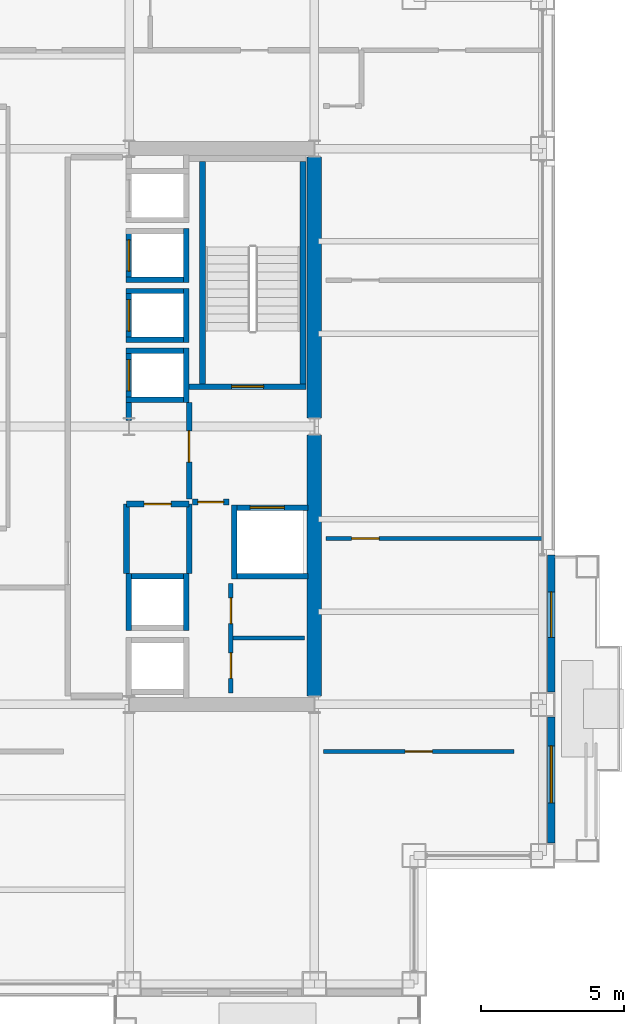
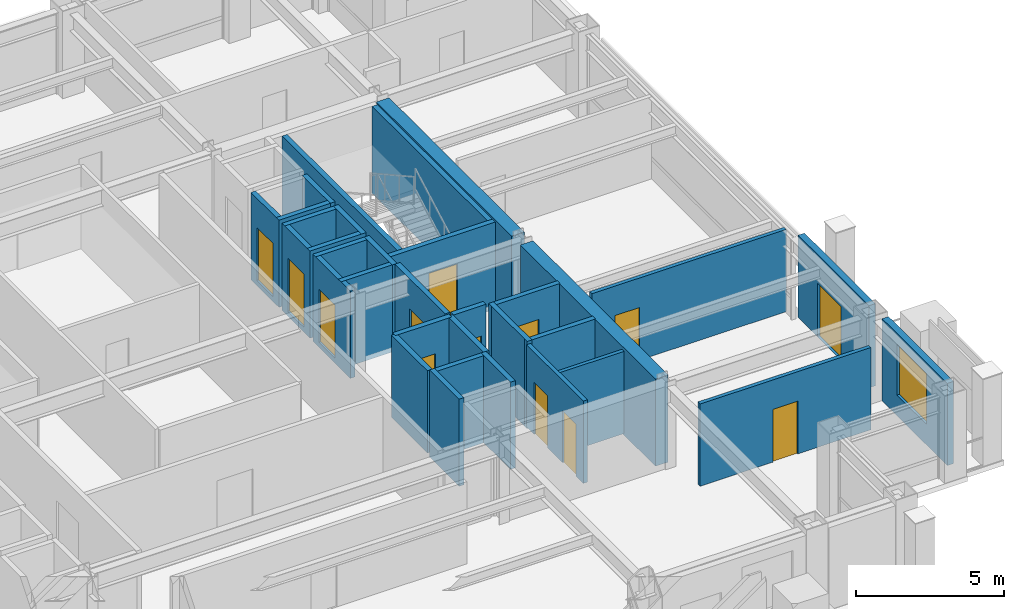
# One storey, part 26 of 30: 33 walls, 13 doors, 1 window, 14 openings.
"""IFC4 building model written with IfcOpenShell, lengths in metres."""

from ifc_helpers import new_model, si_unit, direction, frame, frame_2d, origin, place, context, subcontext, project, spatial, rectangle, extrude, material, layer, layer_set, type_object, element, fill, save


model = new_model("IFC4")

# Units and contexts
model_context = context("Model", 3, precision=1e-05, world=origin(), true_north=direction((0.0, 1.0)))
body_context = subcontext(model_context, "Body", "Model", "MODEL_VIEW")
ifc_project = project(units=[si_unit("LENGTHUNIT", "METRE"), si_unit("AREAUNIT", "SQUARE_METRE"), si_unit("VOLUMEUNIT", "CUBIC_METRE"), si_unit("PLANEANGLEUNIT", "RADIAN"), si_unit("MASSUNIT", "GRAM", prefix="KILO")], contexts=[model_context])

# Site, building, storey
site_placement = place(None, origin())
site = spatial("IfcSite", under=ifc_project, at=site_placement, CompositionType="ELEMENT")
building_placement = place(site_placement, origin())
building = spatial("IfcBuilding", under=site, at=building_placement, Name="Brelmoor Portico Tower", CompositionType="ELEMENT")
storey_placement = place(building_placement, frame((0.0, 0.0, 102.60009765625)))
storey = spatial("IfcBuildingStorey", under=building, at=storey_placement, Name="L26", CompositionType="ELEMENT", Elevation=102.60009765625)

# Walls
ifc_material_1 = material(Name="Concrete C60", Category="concrete")
ifc_layer_1 = layer(ifc_material_1, 0.5)
ifc_layer_set_1 = layer_set([ifc_layer_1], Name="Concrete C60")
wall_type_1 = type_object("IfcWallType", Name="WL-CORE-500", PredefinedType="SHEAR", material=ifc_layer_set_1)
for number, where, z_axis, x_axis, name in (
    (1, (14.550048828125, -9.449951171875, -0.2001953125), (0.0, 0.0, 1.0), (0.0, 1.0, 0.0), "L26 EC Outer South Shear Wall"),
    (2, (14.550048828125, 0.300048828125, -0.2001953125), (0.0, 0.0, 1.0), (0.0, 1.0, 0.0), "L26 EC Outer North Shear Wall"),
):
    element("IfcWall", number, at=place(storey_placement, frame(where, z_axis=z_axis, x_axis=x_axis)), inside=storey, type_object=wall_type_1, Name=name, PredefinedType="SHEAR", context=body_context, shape_type="SweptSolid", body=[
        extrude(rectangle(XDim=9.14990234375, YDim=0.5, at=frame_2d((4.574951171875, 0.0))), origin(), (0.0, 0.0, 1.0), 3.60009765625),
    ])

# Wall, opening, window
ifc_material_2 = material(Name="Precast Concrete C40 Insulated Facade Wall", Category="concrete")
ifc_layer_2 = layer(ifc_material_2, 0.25)
ifc_layer_set_2 = layer_set([ifc_layer_2], Name="Precast Concrete C40 Insulated Facade Wall")
wall_type_2 = type_object("IfcWallType", Name="WL-EXT-250", PredefinedType="STANDARD", material=ifc_layer_set_2)
wall_1_placement = place(storey_placement, frame((22.860107421875, -14.60498046875, 0.0), z_axis=(0.0, 0.0, 1.0), x_axis=(0.0, 1.0, 0.0)))
wall_1 = element("IfcWall", 3, at=wall_1_placement, inside=storey, type_object=wall_type_2, Name="L26 Loggia Threshold Wall E-1", PredefinedType="STANDARD", context=body_context, shape_type="SweptSolid", body=[
    extrude(rectangle(XDim=4.409912109375, YDim=0.25, at=frame_2d((2.205078125, 0.0))), origin(), (0.0, 0.0, 1.0), 3.39990234375),
])
opening_1_placement = place(wall_1_placement, frame((1.405029296875, 0.0, 0.85009765625)))
opening_1 = element("IfcOpeningElement", 4, at=opening_1_placement, cuts=wall_1, Name="Opening W-03", PredefinedType="OPENING", context=body_context, shape_type="SweptSolid", body=[
    extrude(rectangle(XDim=2.0, YDim=2.10009765625, at=frame_2d((1.0, 1.050048828125))), frame((0.0, 0.135009765625, 0.0), z_axis=(0.0, -1.0, 0.0), x_axis=(1.0, 0.0, 0.0)), (0.0, 0.0, 1.0), 0.27001953125),
])
ifc_material_3 = material(Name="Thermally Broken Aluminium Low-E Window", Category="aluminium")
window_type = type_object("IfcWindowType", Name="WN-LOGGIA-2000x2100", PartitioningType="SINGLE_PANEL", PredefinedType="WINDOW", material=ifc_material_3)
window_placement = place(opening_1_placement, origin())
window = element("IfcWindow", 5, at=window_placement, inside=storey, type_object=window_type, Name="L26 Loggia Window E", OverallHeight=2.10009765625, OverallWidth=2.0, PartitioningType="SINGLE_PANEL", PredefinedType="WINDOW", context=body_context, shape_type="SweptSolid", body=[
    extrude(rectangle(XDim=2.0, YDim=2.10009765625, at=frame_2d((1.0, 1.050048828125))), frame((0.0, 0.030029296875, 0.0), z_axis=(0.0, -1.0, 0.0), x_axis=(1.0, 0.0, 0.0)), (0.0, 0.0, 1.0), 0.06005859375),
])
fill(opening_1, window)

# Wall, opening, door
wall_2_placement = place(storey_placement, frame((22.860107421875, -9.304931640625, 0.0), z_axis=(0.0, 0.0, 1.0), x_axis=(0.0, 1.0, 0.0)))
wall_2 = element("IfcWall", 6, at=wall_2_placement, inside=storey, type_object=wall_type_2, Name="L26 Loggia Threshold Wall E-2", PredefinedType="STANDARD", context=body_context, shape_type="SweptSolid", body=[
    extrude(rectangle(XDim=4.804931640625, YDim=0.25, at=frame_2d((2.40234375, 0.0))), origin(), (0.0, 0.0, 1.0), 3.39990234375),
])
opening_2_placement = place(wall_2_placement, frame((1.905029296875, 0.0, 0.0)))
opening_2 = element("IfcOpeningElement", 7, at=opening_2_placement, cuts=wall_2, Name="Opening D-TB1", PredefinedType="OPENING", context=body_context, shape_type="SweptSolid", body=[
    extrude(rectangle(XDim=1.60009765625, YDim=2.199951171875, at=frame_2d((0.800048828125, 1.10009765625))), frame((0.0, 0.135009765625, 0.0), z_axis=(0.0, -1.0, 0.0), x_axis=(1.0, 0.0, 0.0)), (0.0, 0.0, 1.0), 0.27001953125),
])
ifc_material_4 = material(Name="Double-Leaf Thermally Broken Terrace Door", Category="aluminium")
door_type_1 = type_object("IfcDoorType", Name="DR-BALCONY-1600", OperationType="NOTDEFINED", PredefinedType="DOOR", material=ifc_material_4)
door_1_placement = place(opening_2_placement, origin())
door_1 = element("IfcDoor", 8, at=door_1_placement, inside=storey, type_object=door_type_1, Name="D-1163 L26 Tree Balcony Double Door E", OperationType="DOUBLE_DOOR_SINGLE_SWING", OverallHeight=2.199951171875, OverallWidth=1.60009765625, PredefinedType="DOOR", context=body_context, shape_type="SweptSolid", body=[
    extrude(rectangle(XDim=1.60009765625, YDim=2.199951171875, at=frame_2d((0.800048828125, 1.10009765625))), frame((0.0, 0.02490234375, 0.0), z_axis=(0.0, -1.0, 0.0), x_axis=(1.0, 0.0, 0.0)), (0.0, 0.0, 1.0), 0.050048828125),
])
fill(opening_2, door_1)

# Wall
ifc_material_5 = material(Name="Insulated Stud Suite Partition", Category="gypsum")
ifc_layer_3 = layer(ifc_material_5, 0.139892578125)
ifc_layer_set_3 = layer_set([ifc_layer_3], Name="Insulated Stud Suite Partition")
wall_type_3 = type_object("IfcWallType", Name="WL-PART-140", PredefinedType="PARTITIONING", material=ifc_layer_set_3)
wall_3_placement = place(storey_placement, frame((11.699951171875, -7.425048828125, 0.0), z_axis=(0.0, 0.0, 1.0), x_axis=(1.0, 0.0, 0.0)))
element("IfcWall", 9, at=wall_3_placement, inside=storey, type_object=wall_type_3, Name="L26 E Core WC Divider 1", PredefinedType="PARTITIONING", context=body_context, shape_type="SweptSolid", body=[
    extrude(rectangle(XDim=2.5, YDim=0.139892578125, at=frame_2d((1.25, 0.0))), origin(), (0.0, 0.0, 1.0), 3.39990234375),
])

# Wall, opening, door
ifc_material_6 = material(Name="Wet-Area Moisture-Resistant Partition", Category="gypsum")
ifc_layer_4 = layer(ifc_material_6, 0.14990234375)
ifc_layer_set_4 = layer_set([ifc_layer_4], Name="Wet-Area Moisture-Resistant Partition")
wall_type_4 = type_object("IfcWallType", Name="WL-PART-150", PredefinedType="PARTITIONING", material=ifc_layer_set_4)
wall_4_placement = place(storey_placement, frame((14.8798828125, -11.39990234375, 0.0), z_axis=(0.0, 0.0, 1.0), x_axis=(1.0, 0.0, 0.0)))
wall_4 = element("IfcWall", 10, at=wall_4_placement, inside=storey, type_object=wall_type_4, Name="L26 South Wing Closure ER", PredefinedType="PARTITIONING", context=body_context, shape_type="SweptSolid", body=[
    extrude(rectangle(XDim=6.670166015625, YDim=0.14990234375, at=frame_2d((3.3349609375, 0.0))), origin(), (0.0, 0.0, 1.0), 3.39990234375),
])
opening_3_placement = place(wall_4_placement, frame((2.85498046875, 0.0, 0.0)))
opening_3 = element("IfcOpeningElement", 11, at=opening_3_placement, cuts=wall_4, Name="Opening D-IN2", PredefinedType="OPENING", context=body_context, shape_type="SweptSolid", body=[
    extrude(rectangle(XDim=0.9599609375, YDim=2.179931640625, at=frame_2d((0.47998046875, 1.08984375))), frame((0.0, 0.0849609375, 0.0), z_axis=(0.0, -1.0, 0.0), x_axis=(1.0, 0.0, 0.0)), (0.0, 0.0, 1.0), 0.169921875),
])
ifc_material_7 = material(Name="Lacquered Timber Suite Door", Category="wood")
door_type_2 = type_object("IfcDoorType", Name="DR-INT-950", OperationType="NOTDEFINED", PredefinedType="DOOR", material=ifc_material_7)
door_2_placement = place(opening_3_placement, origin())
door_2 = element("IfcDoor", 12, at=door_2_placement, inside=storey, type_object=door_type_2, Name="D-1161 L26 ER Wing South Suite Door", OperationType="SINGLE_SWING_RIGHT", OverallHeight=2.179931640625, OverallWidth=0.9599609375, PredefinedType="DOOR", context=body_context, shape_type="SweptSolid", body=[
    extrude(rectangle(XDim=0.9599609375, YDim=2.179931640625, at=frame_2d((0.47998046875, 1.08984375))), frame((0.0, 0.02490234375, 0.0), z_axis=(0.0, -1.0, 0.0), x_axis=(1.0, 0.0, 0.0)), (0.0, 0.0, 1.0), 0.050048828125),
])
fill(opening_3, door_2)

wall_5_placement = place(storey_placement, frame((14.9599609375, -3.929931640625, 0.0), z_axis=(0.0, 0.0, 1.0), x_axis=(1.0, 0.0, 0.0)))
wall_5 = element("IfcWall", 13, at=wall_5_placement, inside=storey, type_object=wall_type_4, Name="L26 E Wing Partition 1", PredefinedType="PARTITIONING", context=body_context, shape_type="SweptSolid", body=[
    extrude(rectangle(XDim=7.60009765625, YDim=0.14990234375, at=frame_2d((3.800048828125, 0.0))), origin(), (0.0, 0.0, 1.0), 3.39990234375),
])
opening_4_placement = place(wall_5_placement, frame((0.89990234375, 0.0, 0.0)))
opening_4 = element("IfcOpeningElement", 14, at=opening_4_placement, cuts=wall_5, Name="Opening D-IN2", PredefinedType="OPENING", context=body_context, shape_type="SweptSolid", body=[
    extrude(rectangle(XDim=0.9599609375, YDim=2.179931640625, at=frame_2d((0.47998046875, 1.08984375))), frame((0.0, 0.0849609375, 0.0), z_axis=(0.0, -1.0, 0.0), x_axis=(1.0, 0.0, 0.0)), (0.0, 0.0, 1.0), 0.169921875),
])
door_3_placement = place(opening_4_placement, origin())
door_3 = element("IfcDoor", 15, at=door_3_placement, inside=storey, type_object=door_type_2, Name="D-1166 L26 E Wing Suite Connecting Door 1", OperationType="SINGLE_SWING_LEFT", OverallHeight=2.179931640625, OverallWidth=0.9599609375, PredefinedType="DOOR", context=body_context, shape_type="SweptSolid", body=[
    extrude(rectangle(XDim=0.9599609375, YDim=2.179931640625, at=frame_2d((0.47998046875, 1.08984375))), frame((0.0, 0.02490234375, 0.0), z_axis=(0.0, -1.0, 0.0), x_axis=(1.0, 0.0, 0.0)), (0.0, 0.0, 1.0), 0.050048828125),
])
fill(opening_4, door_3)

# Wall, openings, doors
ifc_material_8 = material(Name="Twin-Frame Acoustic Partition", Category="gypsum")
ifc_layer_5 = layer(ifc_material_8, 0.159912109375)
ifc_layer_set_5 = layer_set([ifc_layer_5], Name="Twin-Frame Acoustic Partition")
wall_type_5 = type_object("IfcWallType", Name="WL-PART-160", PredefinedType="PARTITIONING", material=ifc_layer_set_5)
wall_6_placement = place(storey_placement, frame((11.6201171875, -9.35009765625, 0.0), z_axis=(0.0, 0.0, 1.0), x_axis=(0.0, 1.0, 0.0)))
wall_6 = element("IfcWall", 16, at=wall_6_placement, inside=storey, type_object=wall_type_5, Name="L26 E Core Service Front Wall", PredefinedType="PARTITIONING", context=body_context, shape_type="SweptSolid", body=[
    extrude(rectangle(XDim=3.85009765625, YDim=0.159912109375, at=frame_2d((1.925048828125, 0.0))), origin(), (0.0, 0.0, 1.0), 3.39990234375),
])
opening_5_placement = place(wall_6_placement, frame((0.512451171875, 0.0, 0.0)))
opening_5 = element("IfcOpeningElement", 17, at=opening_5_placement, cuts=wall_6, Name="Opening D-IN1", PredefinedType="OPENING", context=body_context, shape_type="SweptSolid", body=[
    extrude(rectangle(XDim=0.89990234375, YDim=2.14990234375, at=frame_2d((0.449951171875, 1.074951171875))), frame((0.0, 0.08984375, 0.0), z_axis=(0.0, -1.0, 0.0), x_axis=(1.0, 0.0, 0.0)), (0.0, 0.0, 1.0), 0.179931640625),
])
opening_6_placement = place(wall_6_placement, frame((2.4375, 0.0, 0.0)))
opening_6 = element("IfcOpeningElement", 18, at=opening_6_placement, cuts=wall_6, Name="Opening D-IN1", PredefinedType="OPENING", context=body_context, shape_type="SweptSolid", body=[
    extrude(rectangle(XDim=0.89990234375, YDim=2.14990234375, at=frame_2d((0.449951171875, 1.074951171875))), frame((0.0, 0.08984375, 0.0), z_axis=(0.0, -1.0, 0.0), x_axis=(1.0, 0.0, 0.0)), (0.0, 0.0, 1.0), 0.179931640625),
])
door_type_3 = type_object("IfcDoorType", Name="DR-INT-900", OperationType="NOTDEFINED", PredefinedType="DOOR", material=ifc_material_7)
door_4_placement = place(opening_5_placement, origin())
door_4 = element("IfcDoor", 19, at=door_4_placement, inside=storey, type_object=door_type_3, Name="D-1135 L26 E Male WC Door", OperationType="SINGLE_SWING_RIGHT", OverallHeight=2.14990234375, OverallWidth=0.89990234375, PredefinedType="DOOR", context=body_context, shape_type="SweptSolid", body=[
    extrude(rectangle(XDim=0.89990234375, YDim=2.14990234375, at=frame_2d((0.449951171875, 1.074951171875))), frame((0.0, 0.02490234375, 0.0), z_axis=(0.0, -1.0, 0.0), x_axis=(1.0, 0.0, 0.0)), (0.0, 0.0, 1.0), 0.050048828125),
])
fill(opening_5, door_4)
door_5_placement = place(opening_6_placement, origin())
door_5 = element("IfcDoor", 20, at=door_5_placement, inside=storey, type_object=door_type_3, Name="D-1136 L26 E Female WC Door", OperationType="SINGLE_SWING_LEFT", OverallHeight=2.14990234375, OverallWidth=0.89990234375, PredefinedType="DOOR", context=body_context, shape_type="SweptSolid", body=[
    extrude(rectangle(XDim=0.89990234375, YDim=2.14990234375, at=frame_2d((0.449951171875, 1.074951171875))), frame((0.0, 0.02490234375, 0.0), z_axis=(0.0, -1.0, 0.0), x_axis=(1.0, 0.0, 0.0)), (0.0, 0.0, 1.0), 0.050048828125),
])
fill(opening_6, door_5)

# Wall, opening, door
ifc_material_9 = material(Name="Double-Stud Gypsum Fire Partition", Category="gypsum")
ifc_layer_6 = layer(ifc_material_9, 0.199951171875)
ifc_layer_set_6 = layer_set([ifc_layer_6], Name="Double-Stud Gypsum Fire Partition")
wall_type_6 = type_object("IfcWallType", Name="WL-PART-200", PredefinedType="PARTITIONING", material=ifc_layer_set_6)
wall_7_placement = place(storey_placement, frame((10.159912109375, -2.550048828125, 0.0), z_axis=(0.0, 0.0, 1.0), x_axis=(0.0, 1.0, 0.0)))
wall_7 = element("IfcWall", 21, at=wall_7_placement, inside=storey, type_object=wall_type_6, Name="L26 E Firefighting Lobby Wall", PredefinedType="PARTITIONING", context=body_context, shape_type="SweptSolid", body=[
    extrude(rectangle(XDim=3.400146484375, YDim=0.199951171875, at=frame_2d((1.7001953125, 0.0))), origin(), (0.0, 0.0, 1.0), 3.39990234375),
])
opening_7_placement = place(wall_7_placement, frame((1.300048828125, 0.0, 0.0)))
opening_7 = element("IfcOpeningElement", 22, at=opening_7_placement, cuts=wall_7, Name="Opening D-FR1", PredefinedType="OPENING", context=body_context, shape_type="SweptSolid", body=[
    extrude(rectangle(XDim=1.10009765625, YDim=2.14990234375, at=frame_2d((0.550048828125, 1.074951171875))), frame((0.0, 0.10986328125, 0.0), z_axis=(0.0, -1.0, 0.0), x_axis=(1.0, 0.0, 0.0)), (0.0, 0.0, 1.0), 0.219970703125),
])
ifc_material_10 = material(Name="Painted Galvanised Steel Fire Door", Category="steel")
door_type_4 = type_object("IfcDoorType", Name="DR-FIRE-1100", OperationType="NOTDEFINED", PredefinedType="DOOR", material=ifc_material_10)
door_6_placement = place(opening_7_placement, origin())
door_6 = element("IfcDoor", 23, at=door_6_placement, inside=storey, type_object=door_type_4, Name="D-1143 L26 E Firefighting Lobby Door", OperationType="SINGLE_SWING_LEFT", OverallHeight=2.14990234375, OverallWidth=1.10009765625, PredefinedType="DOOR", context=body_context, shape_type="SweptSolid", body=[
    extrude(rectangle(XDim=1.10009765625, YDim=2.14990234375, at=frame_2d((0.550048828125, 1.074951171875))), frame((0.0, 0.02490234375, 0.0), z_axis=(0.0, -1.0, 0.0), x_axis=(1.0, 0.0, 0.0)), (0.0, 0.0, 1.0), 0.050048828125),
])
fill(opening_7, door_6)

wall_8_placement = place(storey_placement, frame((10.280029296875, -2.64990234375, 0.0), z_axis=(0.0, 0.0, 1.0), x_axis=(1.0, 0.0, 0.0)))
wall_8 = element("IfcWall", 24, at=wall_8_placement, inside=storey, type_object=wall_type_6, Name="L26 E Firefighting Lobby South Wall", PredefinedType="PARTITIONING", context=body_context, shape_type="SweptSolid", body=[
    extrude(rectangle(XDim=1.27001953125, YDim=0.199951171875, at=frame_2d((0.635009765625, 0.0))), origin(), (0.0, 0.0, 1.0), 3.39990234375),
])
opening_8_placement = place(wall_8_placement, frame((0.18505859375, 0.0, 0.0)))
opening_8 = element("IfcOpeningElement", 25, at=opening_8_placement, cuts=wall_8, Name="Opening D-IN1", PredefinedType="OPENING", context=body_context, shape_type="SweptSolid", body=[
    extrude(rectangle(XDim=0.89990234375, YDim=2.14990234375, at=frame_2d((0.449951171875, 1.074951171875))), frame((0.0, 0.10986328125, 0.0), z_axis=(0.0, -1.0, 0.0), x_axis=(1.0, 0.0, 0.0)), (0.0, 0.0, 1.0), 0.219970703125),
])
door_7_placement = place(opening_8_placement, origin())
door_7 = element("IfcDoor", 26, at=door_7_placement, inside=storey, type_object=door_type_3, Name="D-1137 L26 E Core Service Vestibule Door", OperationType="SINGLE_SWING_RIGHT", OverallHeight=2.14990234375, OverallWidth=0.89990234375, PredefinedType="DOOR", context=body_context, shape_type="SweptSolid", body=[
    extrude(rectangle(XDim=0.89990234375, YDim=2.14990234375, at=frame_2d((0.449951171875, 1.074951171875))), frame((0.0, 0.02490234375, 0.0), z_axis=(0.0, -1.0, 0.0), x_axis=(1.0, 0.0, 0.0)), (0.0, 0.0, 1.0), 0.050048828125),
])
fill(opening_8, door_7)

wall_9_placement = place(storey_placement, frame((7.9599609375, -2.719970703125, 0.0), z_axis=(0.0, 0.0, 1.0), x_axis=(1.0, 0.0, 0.0)))
wall_9 = element("IfcWall", 27, at=wall_9_placement, inside=storey, type_object=wall_type_6, Name="L26 E Electrical Switchgear Closet Wall", PredefinedType="PARTITIONING", context=body_context, shape_type="SweptSolid", body=[
    extrude(rectangle(XDim=2.199951171875, YDim=0.199951171875, at=frame_2d((1.10009765625, 0.0))), origin(), (0.0, 0.0, 1.0), 3.39990234375),
])
opening_9_placement = place(wall_9_placement, frame((0.6201171875, 0.0, 0.0)))
opening_9 = element("IfcOpeningElement", 28, at=opening_9_placement, cuts=wall_9, Name="Opening D-FR4", PredefinedType="OPENING", context=body_context, shape_type="SweptSolid", body=[
    extrude(rectangle(XDim=0.949951171875, YDim=2.10009765625, at=frame_2d((0.47509765625, 1.050048828125))), frame((0.0, 0.10986328125, 0.0), z_axis=(0.0, -1.0, 0.0), x_axis=(1.0, 0.0, 0.0)), (0.0, 0.0, 1.0), 0.219970703125),
])
ifc_material_11 = material(Name="Painted Galvanised Steel Riser Door", Category="steel")
door_type_5 = type_object("IfcDoorType", Name="DR-FIRE-950", OperationType="NOTDEFINED", PredefinedType="DOOR", material=ifc_material_11)
door_8_placement = place(opening_9_placement, origin())
door_8 = element("IfcDoor", 29, at=door_8_placement, inside=storey, type_object=door_type_5, Name="D-1141 L26 E Electrical Switchgear Closet Door", OperationType="SINGLE_SWING_LEFT", OverallHeight=2.10009765625, OverallWidth=0.949951171875, PredefinedType="DOOR", context=body_context, shape_type="SweptSolid", body=[
    extrude(rectangle(XDim=0.949951171875, YDim=2.10009765625, at=frame_2d((0.47509765625, 1.050048828125))), frame((0.0, 0.02490234375, 0.0), z_axis=(0.0, -1.0, 0.0), x_axis=(1.0, 0.0, 0.0)), (0.0, 0.0, 1.0), 0.050048828125),
])
fill(opening_9, door_8)

# Walls
for number, where, z_axis, x_axis, name in (
    (30, (7.9599609375, -5.159912109375, 0.0), (0.0, 0.0, 1.0), (0.0, 1.0, 0.0), "L26 E Electrical Switchgear Closet Inner Wall"),
    (31, (10.159912109375, -5.159912109375, 0.0), (0.0, 0.0, 1.0), (0.0, 1.0, 0.0), "L26 E Electrical Switchgear Closet Outer Wall"),
):
    element("IfcWall", number, at=place(storey_placement, frame(where, z_axis=z_axis, x_axis=x_axis)), inside=storey, type_object=wall_type_6, Name=name, PredefinedType="PARTITIONING", context=body_context, shape_type="SweptSolid", body=[
        extrude(rectangle(XDim=2.43994140625, YDim=0.199951171875, at=frame_2d((1.219970703125, 0.0))), origin(), (0.0, 0.0, 1.0), 3.39990234375),
    ])

# Wall, opening, door
ifc_material_12 = material(Name="Precast Concrete C40", Category="concrete")
ifc_layer_7 = layer(ifc_material_12, 0.18994140625)
ifc_layer_set_7 = layer_set([ifc_layer_7], Name="Precast Concrete C40")
wall_type_7 = type_object("IfcWallType", Name="WL-SHAFT-180", PredefinedType="SOLIDWALL", material=ifc_layer_set_7)
wall_10_placement = place(storey_placement, frame((8.044921875, 0.2099609375, -0.2001953125), z_axis=(0.0, 0.0, 1.0), x_axis=(0.0, 1.0, 0.0)))
wall_10 = element("IfcWall", 32, at=wall_10_placement, inside=storey, type_object=wall_type_7, Name="L26 Lift PM1 Hoistway Front Wall", PredefinedType="SOLIDWALL", context=body_context, shape_type="SweptSolid", body=[
    extrude(rectangle(XDim=2.5400390625, YDim=0.18994140625, at=frame_2d((1.27001953125, 0.0))), origin(), (0.0, 0.0, 1.0), 3.60009765625),
])
opening_10_placement = place(wall_10_placement, frame((1.0400390625, 0.0, 0.199951171875)))
opening_10 = element("IfcOpeningElement", 33, at=opening_10_placement, cuts=wall_10, Name="Opening LD-01", PredefinedType="OPENING", context=body_context, shape_type="SweptSolid", body=[
    extrude(rectangle(XDim=1.10009765625, YDim=2.199951171875, at=frame_2d((0.550048828125, 1.10009765625))), frame((0.0, 0.10498046875, 0.0), z_axis=(0.0, -1.0, 0.0), x_axis=(1.0, 0.0, 0.0)), (0.0, 0.0, 1.0), 0.2099609375),
])
ifc_material_13 = material(Name="Brushed Stainless Steel Sliding Lift Door", Category="steel")
door_type_6 = type_object("IfcDoorType", Name="DR-LIFT-1100", OperationType="NOTDEFINED", PredefinedType="DOOR", material=ifc_material_13)
door_9_placement = place(opening_10_placement, origin())
door_9 = element("IfcDoor", 34, at=door_9_placement, inside=storey, type_object=door_type_6, Name="D-1172 L26 Lift PM1 Sliding Landing Door", OperationType="SLIDING_TO_LEFT", OverallHeight=2.199951171875, OverallWidth=1.10009765625, PredefinedType="DOOR", context=body_context, shape_type="SweptSolid", body=[
    extrude(rectangle(XDim=1.10009765625, YDim=2.199951171875, at=frame_2d((0.550048828125, 1.10009765625))), frame((0.0, 0.02490234375, 0.0), z_axis=(0.0, -1.0, 0.0), x_axis=(1.0, 0.0, 0.0)), (0.0, 0.0, 1.0), 0.050048828125),
])
fill(opening_10, door_9)

# Walls
wall_11_placement = place(storey_placement, frame((10.054931640625, 0.85009765625, -0.2001953125), z_axis=(0.0, 0.0, 1.0), x_axis=(0.0, 1.0, 0.0)))
element("IfcWall", 35, at=wall_11_placement, inside=storey, type_object=wall_type_7, Name="L26 Lift PM1 Hoistway Back Wall", PredefinedType="SOLIDWALL", context=body_context, shape_type="SweptSolid", body=[
    extrude(rectangle(XDim=1.89990234375, YDim=0.18994140625, at=frame_2d((0.949951171875, 0.0))), origin(), (0.0, 0.0, 1.0), 3.60009765625),
])
for number, where, z_axis, x_axis, name in (
    (36, (7.949951171875, 2.655029296875, -0.2001953125), (0.0, 0.0, 1.0), (1.0, 0.0, 0.0), "L26 Lift PM1 Hoistway North Wall"),
    (37, (7.949951171875, 0.945068359375, -0.2001953125), (0.0, 0.0, 1.0), (1.0, 0.0, 0.0), "L26 Lift PM1 Hoistway South Wall"),
):
    element("IfcWall", number, at=place(storey_placement, frame(where, z_axis=z_axis, x_axis=x_axis)), inside=storey, type_object=wall_type_7, Name=name, PredefinedType="SOLIDWALL", context=body_context, shape_type="SweptSolid", body=[
        extrude(rectangle(XDim=2.199951171875, YDim=0.18994140625, at=frame_2d((1.10009765625, 0.0))), origin(), (0.0, 0.0, 1.0), 3.60009765625),
    ])

# Wall, opening, door
wall_12_placement = place(storey_placement, frame((8.044921875, 2.949951171875, -0.2001953125), z_axis=(0.0, 0.0, 1.0), x_axis=(0.0, 1.0, 0.0)))
wall_12 = element("IfcWall", 38, at=wall_12_placement, inside=storey, type_object=wall_type_7, Name="L26 Lift PM2 Hoistway Front Wall", PredefinedType="SOLIDWALL", context=body_context, shape_type="SweptSolid", body=[
    extrude(rectangle(XDim=1.900146484375, YDim=0.18994140625, at=frame_2d((0.9501953125, 0.0))), origin(), (0.0, 0.0, 1.0), 3.60009765625),
])
opening_11_placement = place(wall_12_placement, frame((0.39990234375, 0.0, 0.199951171875)))
opening_11 = element("IfcOpeningElement", 39, at=opening_11_placement, cuts=wall_12, Name="Opening LD-01", PredefinedType="OPENING", context=body_context, shape_type="SweptSolid", body=[
    extrude(rectangle(XDim=1.10009765625, YDim=2.199951171875, at=frame_2d((0.550048828125, 1.10009765625))), frame((0.0, 0.10498046875, 0.0), z_axis=(0.0, -1.0, 0.0), x_axis=(1.0, 0.0, 0.0)), (0.0, 0.0, 1.0), 0.2099609375),
])
door_10_placement = place(opening_11_placement, origin())
door_10 = element("IfcDoor", 40, at=door_10_placement, inside=storey, type_object=door_type_6, Name="D-1173 L26 Lift PM2 Sliding Landing Door", OperationType="SLIDING_TO_LEFT", OverallHeight=2.199951171875, OverallWidth=1.10009765625, PredefinedType="DOOR", context=body_context, shape_type="SweptSolid", body=[
    extrude(rectangle(XDim=1.10009765625, YDim=2.199951171875, at=frame_2d((0.550048828125, 1.10009765625))), frame((0.0, 0.02490234375, 0.0), z_axis=(0.0, -1.0, 0.0), x_axis=(1.0, 0.0, 0.0)), (0.0, 0.0, 1.0), 0.050048828125),
])
fill(opening_11, door_10)

# Walls
wall_13_placement = place(storey_placement, frame((10.054931640625, 2.949951171875, -0.2001953125), z_axis=(0.0, 0.0, 1.0), x_axis=(0.0, 1.0, 0.0)))
element("IfcWall", 41, at=wall_13_placement, inside=storey, type_object=wall_type_7, Name="L26 Lift PM2 Hoistway Back Wall", PredefinedType="SOLIDWALL", context=body_context, shape_type="SweptSolid", body=[
    extrude(rectangle(XDim=1.900146484375, YDim=0.18994140625, at=frame_2d((0.9501953125, 0.0))), origin(), (0.0, 0.0, 1.0), 3.60009765625),
])
for number, where, z_axis, x_axis, name in (
    (42, (7.949951171875, 4.7548828125, -0.2001953125), (0.0, 0.0, 1.0), (1.0, 0.0, 0.0), "L26 Lift PM2 Hoistway North Wall"),
    (43, (7.949951171875, 3.044921875, -0.2001953125), (0.0, 0.0, 1.0), (1.0, 0.0, 0.0), "L26 Lift PM2 Hoistway South Wall"),
):
    element("IfcWall", number, at=place(storey_placement, frame(where, z_axis=z_axis, x_axis=x_axis)), inside=storey, type_object=wall_type_7, Name=name, PredefinedType="SOLIDWALL", context=body_context, shape_type="SweptSolid", body=[
        extrude(rectangle(XDim=2.199951171875, YDim=0.18994140625, at=frame_2d((1.10009765625, 0.0))), origin(), (0.0, 0.0, 1.0), 3.60009765625),
    ])

# Wall, opening, door
wall_14_placement = place(storey_placement, frame((8.044921875, 5.050048828125, -0.2001953125), z_axis=(0.0, 0.0, 1.0), x_axis=(0.0, 1.0, 0.0)))
wall_14 = element("IfcWall", 44, at=wall_14_placement, inside=storey, type_object=wall_type_7, Name="L26 Lift PM3 Hoistway Front Wall", PredefinedType="SOLIDWALL", context=body_context, shape_type="SweptSolid", body=[
    extrude(rectangle(XDim=1.89990234375, YDim=0.18994140625, at=frame_2d((0.949951171875, 0.0))), origin(), (0.0, 0.0, 1.0), 3.60009765625),
])
opening_12_placement = place(wall_14_placement, frame((0.39990234375, 0.0, 0.199951171875)))
opening_12 = element("IfcOpeningElement", 45, at=opening_12_placement, cuts=wall_14, Name="Opening LD-01", PredefinedType="OPENING", context=body_context, shape_type="SweptSolid", body=[
    extrude(rectangle(XDim=1.10009765625, YDim=2.199951171875, at=frame_2d((0.550048828125, 1.10009765625))), frame((0.0, 0.10498046875, 0.0), z_axis=(0.0, -1.0, 0.0), x_axis=(1.0, 0.0, 0.0)), (0.0, 0.0, 1.0), 0.2099609375),
])
door_11_placement = place(opening_12_placement, origin())
door_11 = element("IfcDoor", 46, at=door_11_placement, inside=storey, type_object=door_type_6, Name="D-1174 L26 Lift PM3 Sliding Landing Door", OperationType="SLIDING_TO_LEFT", OverallHeight=2.199951171875, OverallWidth=1.10009765625, PredefinedType="DOOR", context=body_context, shape_type="SweptSolid", body=[
    extrude(rectangle(XDim=1.10009765625, YDim=2.199951171875, at=frame_2d((0.550048828125, 1.10009765625))), frame((0.0, 0.02490234375, 0.0), z_axis=(0.0, -1.0, 0.0), x_axis=(1.0, 0.0, 0.0)), (0.0, 0.0, 1.0), 0.050048828125),
])
fill(opening_12, door_11)

# Walls
wall_15_placement = place(storey_placement, frame((10.054931640625, 5.050048828125, -0.2001953125), z_axis=(0.0, 0.0, 1.0), x_axis=(0.0, 1.0, 0.0)))
element("IfcWall", 47, at=wall_15_placement, inside=storey, type_object=wall_type_7, Name="L26 Lift PM3 Hoistway Back Wall", PredefinedType="SOLIDWALL", context=body_context, shape_type="SweptSolid", body=[
    extrude(rectangle(XDim=1.89990234375, YDim=0.18994140625, at=frame_2d((0.949951171875, 0.0))), origin(), (0.0, 0.0, 1.0), 3.60009765625),
])
wall_16_placement = place(storey_placement, frame((7.949951171875, 5.14501953125, -0.2001953125), z_axis=(0.0, 0.0, 1.0), x_axis=(1.0, 0.0, 0.0)))
element("IfcWall", 48, at=wall_16_placement, inside=storey, type_object=wall_type_7, Name="L26 Lift PM3 Hoistway South Wall", PredefinedType="SOLIDWALL", context=body_context, shape_type="SweptSolid", body=[
    extrude(rectangle(XDim=2.199951171875, YDim=0.18994140625, at=frame_2d((1.10009765625, 0.0))), origin(), (0.0, 0.0, 1.0), 3.60009765625),
])
for number, where, z_axis, x_axis, name in (
    (49, (8.044921875, -7.14990234375, -0.2001953125), (0.0, 0.0, 1.0), (0.0, 1.0, 0.0), "L26 Lift PH4 Hoistway Front Wall"),
    (50, (10.054931640625, -7.14990234375, -0.2001953125), (0.0, 0.0, 1.0), (0.0, 1.0, 0.0), "L26 Lift PH4 Hoistway Back Wall"),
):
    element("IfcWall", number, at=place(storey_placement, frame(where, z_axis=z_axis, x_axis=x_axis)), inside=storey, type_object=wall_type_7, Name=name, PredefinedType="SOLIDWALL", context=body_context, shape_type="SweptSolid", body=[
        extrude(rectangle(XDim=2.0, YDim=0.18994140625, at=frame_2d((1.0, 0.0))), origin(), (0.0, 0.0, 1.0), 3.60009765625),
    ])
wall_17_placement = place(storey_placement, frame((7.949951171875, -5.2451171875, -0.2001953125), z_axis=(0.0, 0.0, 1.0), x_axis=(1.0, 0.0, 0.0)))
element("IfcWall", 51, at=wall_17_placement, inside=storey, type_object=wall_type_7, Name="L26 Lift PH4 Hoistway North Wall", PredefinedType="SOLIDWALL", context=body_context, shape_type="SweptSolid", body=[
    extrude(rectangle(XDim=2.199951171875, YDim=0.18994140625, at=frame_2d((1.10009765625, 0.0))), origin(), (0.0, 0.0, 1.0), 3.60009765625),
])

# Wall, opening, door
wall_18_placement = place(storey_placement, frame((11.64990234375, -2.844970703125, -0.2001953125), z_axis=(0.0, 0.0, 1.0), x_axis=(1.0, 0.0, 0.0)))
wall_18 = element("IfcWall", 52, at=wall_18_placement, inside=storey, type_object=wall_type_7, Name="L26 Lift FF2 Hoistway Front Wall", PredefinedType="SOLIDWALL", context=body_context, shape_type="SweptSolid", body=[
    extrude(rectangle(XDim=2.68017578125, YDim=0.18994140625, at=frame_2d((1.340087890625, 0.0))), origin(), (0.0, 0.0, 1.0), 3.60009765625),
])
opening_13_placement = place(wall_18_placement, frame((0.64990234375, 0.0, 0.199951171875)))
opening_13 = element("IfcOpeningElement", 53, at=opening_13_placement, cuts=wall_18, Name="Opening LD-02", PredefinedType="OPENING", context=body_context, shape_type="SweptSolid", body=[
    extrude(rectangle(XDim=1.199951171875, YDim=2.199951171875, at=frame_2d((0.60009765625, 1.10009765625))), frame((0.0, 0.10498046875, 0.0), z_axis=(0.0, -1.0, 0.0), x_axis=(1.0, 0.0, 0.0)), (0.0, 0.0, 1.0), 0.2099609375),
])
ifc_material_14 = material(Name="Brushed Stainless Steel Firefighting Lift Door", Category="steel")
door_type_7 = type_object("IfcDoorType", Name="DR-LIFT-1200", OperationType="NOTDEFINED", PredefinedType="DOOR", material=ifc_material_14)
door_12_placement = place(opening_13_placement, origin())
door_12 = element("IfcDoor", 54, at=door_12_placement, inside=storey, type_object=door_type_7, Name="D-1171 L26 Lift FF2 Sliding Landing Door", OperationType="SLIDING_TO_LEFT", OverallHeight=2.199951171875, OverallWidth=1.199951171875, PredefinedType="DOOR", context=body_context, shape_type="SweptSolid", body=[
    extrude(rectangle(XDim=1.199951171875, YDim=2.199951171875, at=frame_2d((0.60009765625, 1.10009765625))), frame((0.0, 0.02490234375, 0.0), z_axis=(0.0, -1.0, 0.0), x_axis=(1.0, 0.0, 0.0)), (0.0, 0.0, 1.0), 0.050048828125),
])
fill(opening_13, door_12)

# Walls
wall_19_placement = place(storey_placement, frame((11.64990234375, -5.2548828125, -0.2001953125), z_axis=(0.0, 0.0, 1.0), x_axis=(1.0, 0.0, 0.0)))
element("IfcWall", 55, at=wall_19_placement, inside=storey, type_object=wall_type_7, Name="L26 Firefighting Lift FF2 South Wall", PredefinedType="SOLIDWALL", context=body_context, shape_type="SweptSolid", body=[
    extrude(rectangle(XDim=2.68017578125, YDim=0.18994140625, at=frame_2d((1.340087890625, 0.0))), origin(), (0.0, 0.0, 1.0), 3.60009765625),
])
wall_20_placement = place(storey_placement, frame((11.7451171875, -5.35009765625, -0.2001953125), z_axis=(0.0, 0.0, 1.0), x_axis=(0.0, 1.0, 0.0)))
element("IfcWall", 56, at=wall_20_placement, inside=storey, type_object=wall_type_7, Name="L26 Firefighting Lift FF2 Inner Wall", PredefinedType="SOLIDWALL", context=body_context, shape_type="SweptSolid", body=[
    extrude(rectangle(XDim=2.60009765625, YDim=0.18994140625, at=frame_2d((1.300048828125, 0.0))), origin(), (0.0, 0.0, 1.0), 3.60009765625),
])
ifc_material_15 = material(Name="Concrete C40", Category="concrete")
ifc_layer_8 = layer(ifc_material_15, 0.199951171875)
ifc_layer_set_8 = layer_set([ifc_layer_8], Name="Concrete C40")
wall_type_8 = type_object("IfcWallType", Name="WL-SHAFT-RC200", PredefinedType="SOLIDWALL", material=ifc_layer_set_8)
wall_21_placement = place(storey_placement, frame((14.14990234375, 1.5, -0.2001953125), z_axis=(0.0, 0.0, 1.0), x_axis=(0.0, 1.0, 0.0)))
element("IfcWall", 57, at=wall_21_placement, inside=storey, type_object=wall_type_8, Name="L26 ST-E Structural Stair Wall Outer", PredefinedType="SOLIDWALL", context=body_context, shape_type="SweptSolid", body=[
    extrude(rectangle(XDim=7.800048828125, YDim=0.199951171875, at=frame_2d((3.89990234375, 0.0))), origin(), (0.0, 0.0, 1.0), 3.60009765625),
])

# Wall, opening, door
wall_22_placement = place(storey_placement, frame((10.14990234375, 1.39990234375, -0.2001953125), z_axis=(0.0, 0.0, 1.0), x_axis=(1.0, 0.0, 0.0)))
wall_22 = element("IfcWall", 58, at=wall_22_placement, inside=storey, type_object=wall_type_8, Name="L26 ST-E Structural Stair Wall S", PredefinedType="SOLIDWALL", context=body_context, shape_type="SweptSolid", body=[
    extrude(rectangle(XDim=4.10009765625, YDim=0.199951171875, at=frame_2d((2.050048828125, 0.0))), origin(), (0.0, 0.0, 1.0), 3.60009765625),
])
opening_14_placement = place(wall_22_placement, frame((1.5, 0.0, 0.199951171875)))
opening_14 = element("IfcOpeningElement", 59, at=opening_14_placement, cuts=wall_22, Name="Opening D-ST1", PredefinedType="OPENING", context=body_context, shape_type="SweptSolid", body=[
    extrude(rectangle(XDim=1.1201171875, YDim=2.179931640625, at=frame_2d((0.56005859375, 1.08984375))), frame((0.0, 0.10986328125, 0.0), z_axis=(0.0, -1.0, 0.0), x_axis=(1.0, 0.0, 0.0)), (0.0, 0.0, 1.0), 0.219970703125),
])
door_type_8 = type_object("IfcDoorType", Name="DR-STAIR-1100", OperationType="NOTDEFINED", PredefinedType="DOOR", material=ifc_material_10)
door_13_placement = place(opening_14_placement, origin())
door_13 = element("IfcDoor", 60, at=door_13_placement, inside=storey, type_object=door_type_8, Name="D-1159 L26 ST-E Protected Exit Stair Door", OperationType="SINGLE_SWING_RIGHT", OverallHeight=2.179931640625, OverallWidth=1.1201171875, PredefinedType="DOOR", context=body_context, shape_type="SweptSolid", body=[
    extrude(rectangle(XDim=1.1201171875, YDim=2.179931640625, at=frame_2d((0.56005859375, 1.08984375))), frame((0.0, 0.02490234375, 0.0), z_axis=(0.0, -1.0, 0.0), x_axis=(1.0, 0.0, 0.0)), (0.0, 0.0, 1.0), 0.050048828125),
])
fill(opening_14, door_13)

# Wall
wall_23_placement = place(storey_placement, frame((10.6298828125, 1.5, -0.2001953125), z_axis=(0.0, 0.0, 1.0), x_axis=(0.0, 1.0, 0.0)))
element("IfcWall", 61, at=wall_23_placement, inside=storey, type_object=wall_type_8, Name="L26 ST-E Structural Stair Wall Inner", PredefinedType="SOLIDWALL", context=body_context, shape_type="SweptSolid", body=[
    extrude(rectangle(XDim=7.800048828125, YDim=0.199951171875, at=frame_2d((3.89990234375, 0.0))), origin(), (0.0, 0.0, 1.0), 3.60009765625),
])

save(model, "model.ifc")
